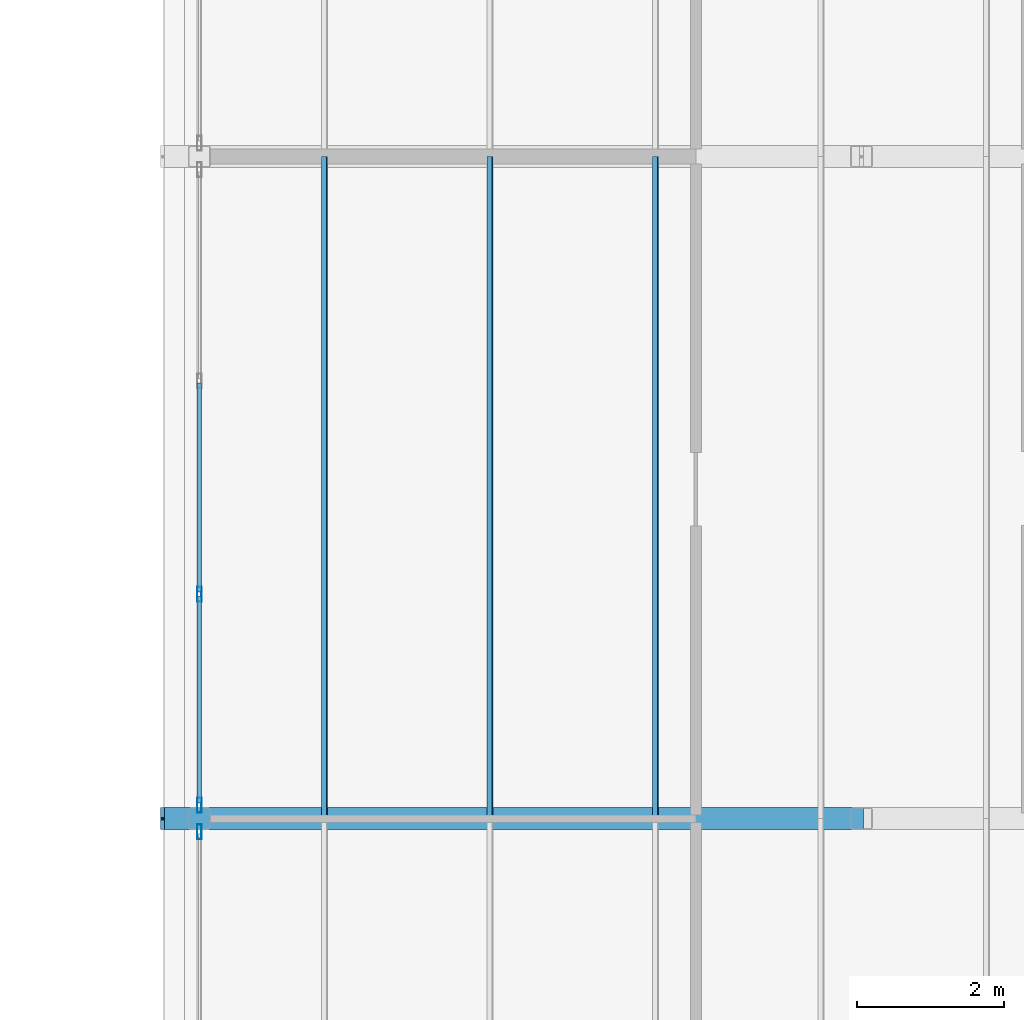
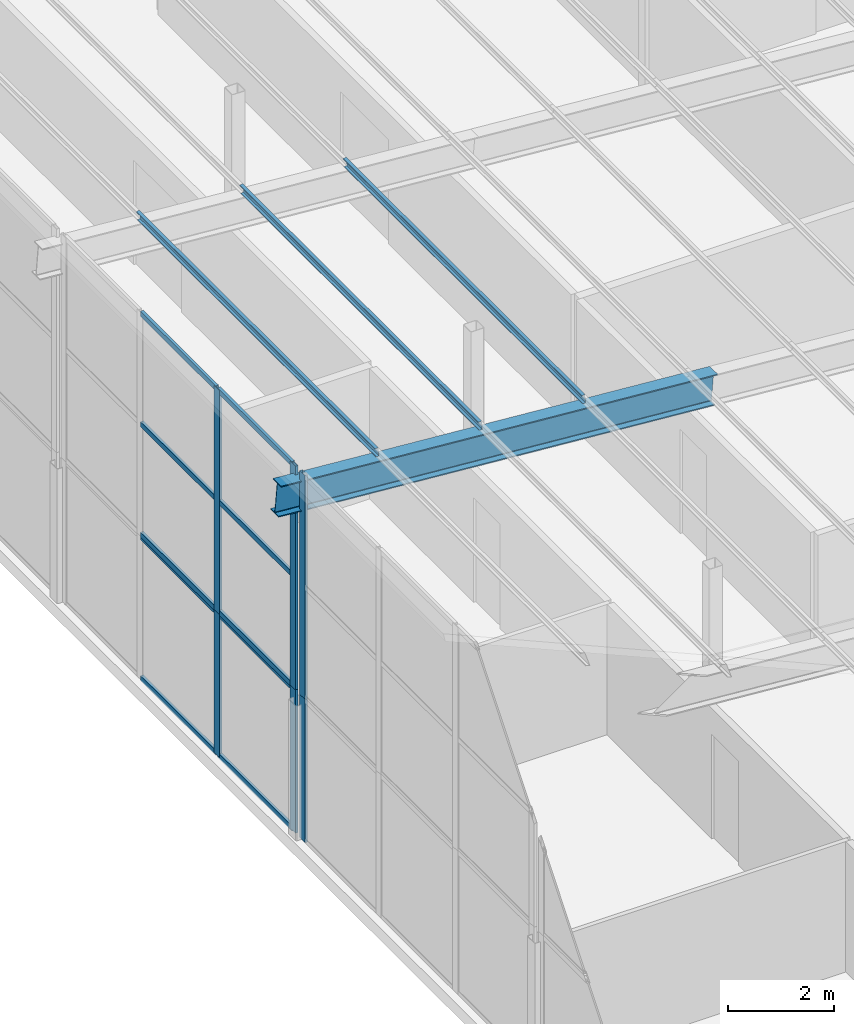
# One storey, part 37 of 85: 20 members, 4 elements without a shape of their own.
"""IFC4 building model written with IfcOpenShell, lengths in metres."""

from ifc_helpers import new_model, si_unit, direction, frame, origin, origin_2d, place, context, subcontext, project, spatial, polyline, hollow_rectangle, i_section, outline, extrude, material, layer, layer_set, material_profile, profile_set, type_object, element, aggregate, save


model = new_model("IFC4")

# Units and contexts
model_context = context("Model", 3, precision=1e-05, world=origin(), true_north=direction((0.0, 1.0)))
body_context = subcontext(model_context, "Body", "Model", "MODEL_VIEW")
ifc_project = project(units=[si_unit("LENGTHUNIT", "METRE"), si_unit("AREAUNIT", "SQUARE_METRE"), si_unit("VOLUMEUNIT", "CUBIC_METRE"), si_unit("PLANEANGLEUNIT", "RADIAN"), si_unit("MASSUNIT", "GRAM", prefix="KILO")], contexts=[model_context])

# Site, building, storey
site_placement = place(None, origin())
site = spatial("IfcSite", under=ifc_project, at=site_placement, CompositionType="ELEMENT")
building_placement = place(site_placement, origin())
building = spatial("IfcBuilding", under=site, at=building_placement, Name="Opaline Strait Convention Centre", CompositionType="ELEMENT")
storey_placement = place(building_placement, frame((0.0, 0.0, 17.0)))
storey = spatial("IfcBuildingStorey", under=building, at=storey_placement, Name="L03", CompositionType="ELEMENT", Elevation=17.0)

# Curtain wall, member
ifc_material_1 = material(Name="Aluminium framed double glazing", Category="aluminium")
ifc_layer = layer(ifc_material_1, 0.199951171875)
ifc_layer_set = layer_set([ifc_layer], Name="Aluminium framed double glazing")
curtain_wall_type = type_object("IfcCurtainWallType", Name="Curtain wall 3000 module unitised", PredefinedType="NOTDEFINED", material=ifc_layer_set)
curtain_wall_1_placement = place(storey_placement, origin())
curtain_wall_1 = element("IfcCurtainWall", 1, at=curtain_wall_1_placement, inside=storey, type_object=curtain_wall_type, Name="Curtain wall W L03 32/R", PredefinedType="NOTDEFINED")
ifc_material_2 = material(Name="Aluminium alloy 6063", Category="aluminium")
ifc_material_profile_1 = material_profile(ifc_material_2, hollow_rectangle(XDim=0.06005859375, YDim=0.199951171875, WallThickness=0.00390625, at=origin_2d()), Name="MULLION 60x200x4")
ifc_profile_set_1 = profile_set([ifc_material_profile_1], Name="Aluminium alloy 6063")
member_type_1 = type_object("IfcMemberType", Name="Curtain wall mullion 60 x 200", PredefinedType="MULLION", material=ifc_profile_set_1)
member_1_placement = place(storey_placement, frame((279.0, 143.820068359375, 0.0), z_axis=(0.0, 0.0, 1.0), x_axis=(-1.0, 0.0, 0.0)))
member_1 = element("IfcMember", 2, at=member_1_placement, type_object=member_type_1, Name="MCWR1 mullion 4", PredefinedType="MULLION", context=body_context, shape_type="SweptSolid", body=[
    extrude(hollow_rectangle(XDim=0.06005859375, YDim=0.199951171875, WallThickness=0.00390625, at=origin_2d()), origin(), (0.0, 0.0, 1.0), 3.300048828125),
])
aggregate(curtain_wall_1, [member_1])

# Curtain wall, members
curtain_wall_2_placement = place(storey_placement, origin())
curtain_wall_2 = element("IfcCurtainWall", 3, at=curtain_wall_2_placement, inside=storey, type_object=curtain_wall_type, Name="Curtain wall W L03 32/S", PredefinedType="NOTDEFINED")
member_2_placement = place(storey_placement, frame((279.0, 144.179931640625, 0.0), z_axis=(0.0, 0.0, 1.0), x_axis=(-1.0, 0.0, 0.0)))
member_2 = element("IfcMember", 4, at=member_2_placement, type_object=member_type_1, Name="MCWR1 mullion 1", PredefinedType="MULLION", context=body_context, shape_type="SweptSolid", body=[
    extrude(hollow_rectangle(XDim=0.06005859375, YDim=0.199951171875, WallThickness=0.00390625, at=origin_2d()), origin(), (0.0, 0.0, 1.0), 3.300048828125),
])
member_3_placement = place(storey_placement, frame((279.0, 147.050048828125, 0.0), z_axis=(0.0, 0.0, 1.0), x_axis=(-1.0, 0.0, 0.0)))
member_3 = element("IfcMember", 5, at=member_3_placement, type_object=member_type_1, Name="MCWR1 mullion 2", PredefinedType="MULLION", context=body_context, shape_type="SweptSolid", body=[
    extrude(hollow_rectangle(XDim=0.06005859375, YDim=0.199951171875, WallThickness=0.00390625, at=origin_2d()), origin(), (0.0, 0.0, 1.0), 3.300048828125),
])

# Curtain wall, member
curtain_wall_3_placement = place(storey_placement, origin())
curtain_wall_3 = element("IfcCurtainWall", 6, at=curtain_wall_3_placement, inside=storey, type_object=curtain_wall_type, Name="Clerestory curtain wall W L03 32/R", PredefinedType="NOTDEFINED")
member_4_placement = place(storey_placement, frame((279.0, 143.820068359375, 3.300048828125), z_axis=(0.0, 0.0, 1.0), x_axis=(-1.0, 0.0, 0.0)))
member_4 = element("IfcMember", 7, at=member_4_placement, type_object=member_type_1, Name="MCWR1 mullion 4", PredefinedType="MULLION", context=body_context, shape_type="SweptSolid", body=[
    extrude(hollow_rectangle(XDim=0.06005859375, YDim=0.199951171875, WallThickness=0.00390625, at=origin_2d()), origin(), (0.0, 0.0, 1.0), 5.144287109375),
])
aggregate(curtain_wall_3, [member_4])

# Curtain wall, members
curtain_wall_4_placement = place(storey_placement, origin())
curtain_wall_4 = element("IfcCurtainWall", 8, at=curtain_wall_4_placement, inside=storey, type_object=curtain_wall_type, Name="Clerestory curtain wall W L03 32/S", PredefinedType="NOTDEFINED")
member_5_placement = place(storey_placement, frame((279.0, 144.179931640625, 3.300048828125), z_axis=(0.0, 0.0, 1.0), x_axis=(-1.0, 0.0, 0.0)))
member_5 = element("IfcMember", 9, at=member_5_placement, type_object=member_type_1, Name="MCWR1 mullion 1", PredefinedType="MULLION", context=body_context, shape_type="SweptSolid", body=[
    extrude(hollow_rectangle(XDim=0.06005859375, YDim=0.199951171875, WallThickness=0.00390625, at=origin_2d()), origin(), (0.0, 0.0, 1.0), 5.144287109375),
])
member_6_placement = place(storey_placement, frame((279.0, 147.050048828125, 3.300048828125), z_axis=(0.0, 0.0, 1.0), x_axis=(-1.0, 0.0, 0.0)))
member_6 = element("IfcMember", 10, at=member_6_placement, type_object=member_type_1, Name="MCWR1 mullion 2", PredefinedType="MULLION", context=body_context, shape_type="SweptSolid", body=[
    extrude(hollow_rectangle(XDim=0.06005859375, YDim=0.199951171875, WallThickness=0.00390625, at=origin_2d()), origin(), (0.0, 0.0, 1.0), 5.144287109375),
])

# Member
ifc_material_profile_2 = material_profile(ifc_material_2, hollow_rectangle(XDim=0.06005859375, YDim=0.1201171875, WallThickness=0.0029296875, at=origin_2d()), Name="TRANSOM 60x120x3")
ifc_profile_set_2 = profile_set([ifc_material_profile_2], Name="Aluminium alloy 6063")
member_type_2 = type_object("IfcMemberType", Name="Curtain wall transom 60 x 120", PredefinedType="USERDEFINED", material=ifc_profile_set_2)
member_7_placement = place(storey_placement, frame((279.0, 144.2099609375, 0.030029296875), z_axis=(0.0, 1.0, 0.0), x_axis=(-1.0, 0.0, 0.0)))
member_7 = element("IfcMember", 11, at=member_7_placement, type_object=member_type_2, Name="MCWR1 transom 1.1", ObjectType="TRANSOM", PredefinedType="USERDEFINED", context=body_context, shape_type="SweptSolid", body=[
    extrude(hollow_rectangle(XDim=0.06005859375, YDim=0.1201171875, WallThickness=0.0029296875, at=origin_2d()), origin(), (0.0, 0.0, 1.0), 2.81005859375),
])

member_8_placement = place(storey_placement, frame((279.0, 144.2099609375, 3.27001953125), z_axis=(0.0, 1.0, 0.0), x_axis=(-1.0, 0.0, 0.0)))
member_8 = element("IfcMember", 12, at=member_8_placement, type_object=member_type_2, Name="MCWR1 transom 1.2", ObjectType="TRANSOM", PredefinedType="USERDEFINED", context=body_context, shape_type="SweptSolid", body=[
    extrude(hollow_rectangle(XDim=0.06005859375, YDim=0.1201171875, WallThickness=0.0029296875, at=origin_2d()), origin(), (0.0, 0.0, 1.0), 2.81005859375),
])

member_9_placement = place(storey_placement, frame((279.0, 147.080078125, 0.030029296875), z_axis=(0.0, 1.0, 0.0), x_axis=(-1.0, 0.0, 0.0)))
member_9 = element("IfcMember", 13, at=member_9_placement, type_object=member_type_2, Name="MCWR1 transom 2.1", ObjectType="TRANSOM", PredefinedType="USERDEFINED", context=body_context, shape_type="SweptSolid", body=[
    extrude(hollow_rectangle(XDim=0.06005859375, YDim=0.1201171875, WallThickness=0.0029296875, at=origin_2d()), origin(), (0.0, 0.0, 1.0), 2.83984375),
])

member_10_placement = place(storey_placement, frame((279.0, 147.080078125, 3.27001953125), z_axis=(0.0, 1.0, 0.0), x_axis=(-1.0, 0.0, 0.0)))
member_10 = element("IfcMember", 14, at=member_10_placement, type_object=member_type_2, Name="MCWR1 transom 2.2", ObjectType="TRANSOM", PredefinedType="USERDEFINED", context=body_context, shape_type="SweptSolid", body=[
    extrude(hollow_rectangle(XDim=0.06005859375, YDim=0.1201171875, WallThickness=0.0029296875, at=origin_2d()), origin(), (0.0, 0.0, 1.0), 2.83984375),
])

aggregate(curtain_wall_2, [member_2, member_3, member_7, member_8, member_9, member_10])

member_11_placement = place(storey_placement, frame((279.0, 144.2099609375, 3.330078125), z_axis=(0.0, 1.0, 0.0), x_axis=(-1.0, 0.0, 0.0)))
member_11 = element("IfcMember", 15, at=member_11_placement, type_object=member_type_2, Name="MCWR1 transom 1.1", ObjectType="TRANSOM", PredefinedType="USERDEFINED", context=body_context, shape_type="SweptSolid", body=[
    extrude(hollow_rectangle(XDim=0.06005859375, YDim=0.1201171875, WallThickness=0.0029296875, at=origin_2d()), origin(), (0.0, 0.0, 1.0), 2.81005859375),
])

member_12_placement = place(storey_placement, frame((279.0, 144.2099609375, 5.872314453125), z_axis=(0.0, 1.0, 0.0), x_axis=(-1.0, 0.0, 0.0)))
member_12 = element("IfcMember", 16, at=member_12_placement, type_object=member_type_2, Name="MCWR1 transom 1.2", ObjectType="TRANSOM", PredefinedType="USERDEFINED", context=body_context, shape_type="SweptSolid", body=[
    extrude(hollow_rectangle(XDim=0.06005859375, YDim=0.1201171875, WallThickness=0.0029296875, at=origin_2d()), origin(), (0.0, 0.0, 1.0), 2.81005859375),
])

member_13_placement = place(storey_placement, frame((279.0, 144.2099609375, 8.414306640625), z_axis=(0.0, 1.0, 0.0), x_axis=(-1.0, 0.0, 0.0)))
member_13 = element("IfcMember", 17, at=member_13_placement, type_object=member_type_2, Name="MCWR1 transom 1.3", ObjectType="TRANSOM", PredefinedType="USERDEFINED", context=body_context, shape_type="SweptSolid", body=[
    extrude(hollow_rectangle(XDim=0.06005859375, YDim=0.1201171875, WallThickness=0.0029296875, at=origin_2d()), origin(), (0.0, 0.0, 1.0), 2.81005859375),
])

member_14_placement = place(storey_placement, frame((279.0, 147.080078125, 3.330078125), z_axis=(0.0, 1.0, 0.0), x_axis=(-1.0, 0.0, 0.0)))
member_14 = element("IfcMember", 18, at=member_14_placement, type_object=member_type_2, Name="MCWR1 transom 2.1", ObjectType="TRANSOM", PredefinedType="USERDEFINED", context=body_context, shape_type="SweptSolid", body=[
    extrude(hollow_rectangle(XDim=0.06005859375, YDim=0.1201171875, WallThickness=0.0029296875, at=origin_2d()), origin(), (0.0, 0.0, 1.0), 2.83984375),
])

member_15_placement = place(storey_placement, frame((279.0, 147.080078125, 5.872314453125), z_axis=(0.0, 1.0, 0.0), x_axis=(-1.0, 0.0, 0.0)))
member_15 = element("IfcMember", 19, at=member_15_placement, type_object=member_type_2, Name="MCWR1 transom 2.2", ObjectType="TRANSOM", PredefinedType="USERDEFINED", context=body_context, shape_type="SweptSolid", body=[
    extrude(hollow_rectangle(XDim=0.06005859375, YDim=0.1201171875, WallThickness=0.0029296875, at=origin_2d()), origin(), (0.0, 0.0, 1.0), 2.83984375),
])

member_16_placement = place(storey_placement, frame((279.0, 147.080078125, 8.414306640625), z_axis=(0.0, 1.0, 0.0), x_axis=(-1.0, 0.0, 0.0)))
member_16 = element("IfcMember", 20, at=member_16_placement, type_object=member_type_2, Name="MCWR1 transom 2.3", ObjectType="TRANSOM", PredefinedType="USERDEFINED", context=body_context, shape_type="SweptSolid", body=[
    extrude(hollow_rectangle(XDim=0.06005859375, YDim=0.1201171875, WallThickness=0.0029296875, at=origin_2d()), origin(), (0.0, 0.0, 1.0), 2.83984375),
])

aggregate(curtain_wall_4, [member_5, member_6, member_11, member_12, member_13, member_14, member_15, member_16])

# Members
ifc_material_3 = material(Name="Steel Q355B", Category="steel")
ifc_material_profile_3 = material_profile(ifc_material_3, outline(polyline([(-0.034912109375, -0.10009765625), (0.034912109375, -0.10009765625), (0.034912109375, -0.080078125), (0.032470703125, -0.080078125), (0.032470703125, -0.097412109375), (-0.032470703125, -0.097412109375), (-0.032470703125, 0.097412109375), (0.032470703125, 0.097412109375), (0.032470703125, 0.080078125), (0.034912109375, 0.080078125), (0.034912109375, 0.10009765625), (-0.034912109375, 0.10009765625), (-0.034912109375, -0.10009765625)])), Name="C 200x70x20x2.5")
ifc_profile_set_3 = profile_set([ifc_material_profile_3], Name="Steel Q355B")
member_type_3 = type_object("IfcMemberType", Name="Roof purlin C 200x70x20x2.5", PredefinedType="PURLIN", material=ifc_profile_set_3)
for number, where, z_axis, x_axis, name in (
    (21, (285.199951171875, 144.0, 7.856201171875), (0.0, 1.0, 0.0), (-0.996917333733, 0.0, -0.078459095728), "MRP1 purlin W wing 187"),
    (22, (282.949951171875, 144.0, 8.033203125), (0.0, 1.0, 0.0), (-0.996917333733, 0.0, -0.078459095728), "MRP1 purlin W wing 197"),
    (23, (280.699951171875, 144.0, 8.210205078125), (0.0, 1.0, 0.0), (-0.996917333733, 0.0, -0.078459095728), "MRP1 purlin W wing 207"),
):
    element("IfcMember", number, at=place(storey_placement, frame(where, z_axis=z_axis, x_axis=x_axis)), inside=storey, type_object=member_type_3, Name=name, PredefinedType="PURLIN", context=body_context, shape_type="SweptSolid", body=[
        extrude(outline(polyline([(-0.034912109375, -0.10009765625), (0.034912109375, -0.10009765625), (0.034912109375, -0.080078125), (0.032470703125, -0.080078125), (0.032470703125, -0.097412109375), (-0.032470703125, -0.097412109375), (-0.032470703125, 0.097412109375), (0.032470703125, 0.097412109375), (0.032470703125, 0.080078125), (0.034912109375, 0.080078125), (0.034912109375, 0.10009765625), (-0.034912109375, 0.10009765625), (-0.034912109375, -0.10009765625)])), origin(), (0.0, 0.0, 1.0), 9.0),
    ])
ifc_material_profile_4 = material_profile(ifc_material_3, i_section(OverallWidth=0.300048828125, OverallDepth=0.699951171875, WebThickness=0.012939453125, FlangeThickness=0.02392578125, FilletRadius=0.01806640625, at=origin_2d()), Name="HN 700x300x13x24")
ifc_profile_set_4 = profile_set([ifc_material_profile_4], Name="Steel Q355B")
member_type_4 = type_object("IfcMemberType", Name="Roof rafter HN 700x300x13x24", PredefinedType="RAFTER", material=ifc_profile_set_4)
member_17_placement = place(storey_placement, frame((278.5, 144.0, 7.93212890625), z_axis=(0.996916213079, 0.0, -0.078473333693), x_axis=(0.0, 1.0, 0.0)))
element("IfcMember", 24, at=member_17_placement, inside=storey, type_object=member_type_4, Name="MRR1 rafter y 144", PredefinedType="RAFTER", context=body_context, shape_type="SweptSolid", body=[
    extrude(i_section(OverallWidth=0.300048828125, OverallDepth=0.699951171875, WebThickness=0.012939453125, FlangeThickness=0.02392578125, FilletRadius=0.01806640625, at=origin_2d()), origin(), (0.0, 0.0, 1.0), 9.529296875),
])

save(model, "model.ifc")
